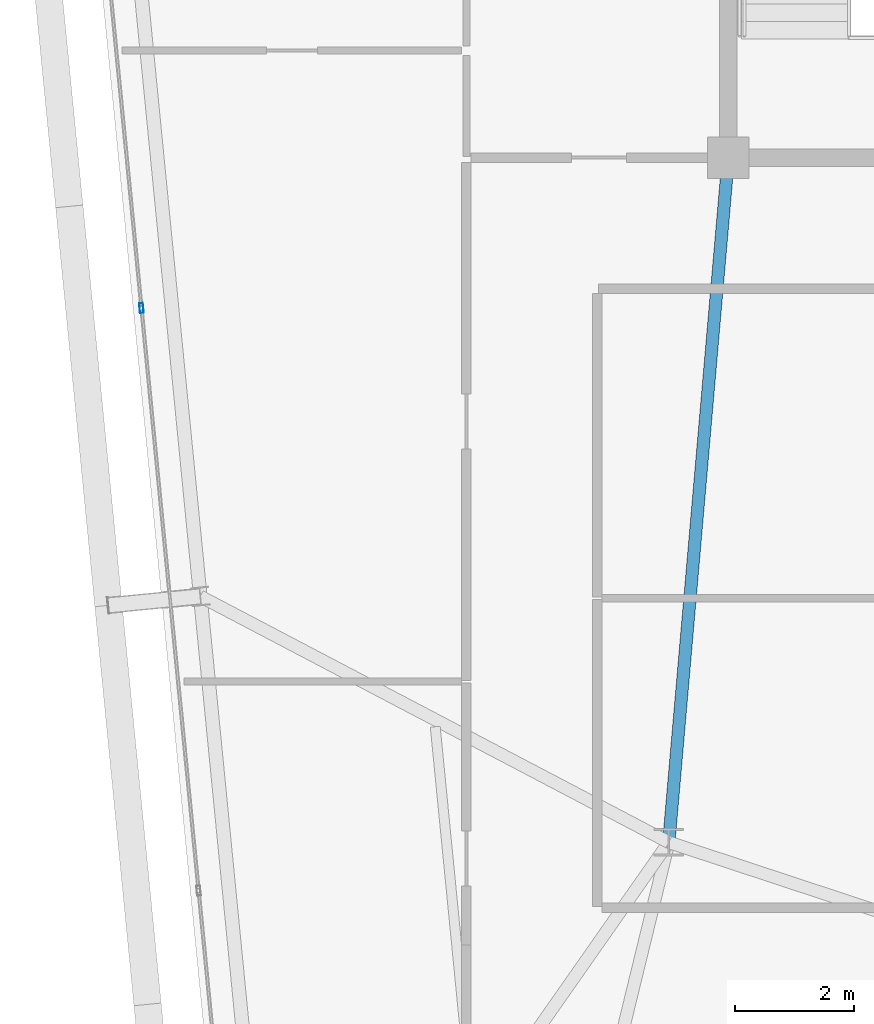
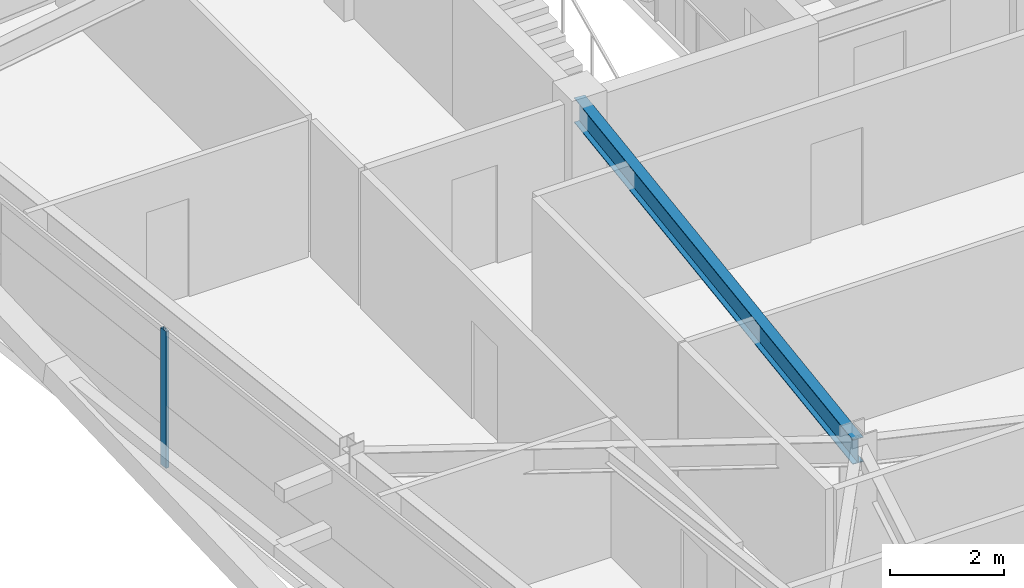
# One storey, part 13 of 47: 1 beam, 1 member, 1 element without a shape of its own.
"""IFC4 building model written with IfcOpenShell, lengths in metres."""

from ifc_helpers import new_model, si_unit, direction, frame, origin, origin_2d, place, context, subcontext, project, spatial, hollow_rectangle, i_section, extrude, source, transform, mapped, material, layer, layer_set, material_profile, profile_set, type_object, element, aggregate, save


model = new_model("IFC4")

# Units and contexts
model_context = context("Model", 3, precision=1e-05, world=origin(), true_north=direction((0.0, 1.0)))
body_context = subcontext(model_context, "Body", "Model", "MODEL_VIEW")
ifc_project = project(units=[si_unit("LENGTHUNIT", "METRE"), si_unit("AREAUNIT", "SQUARE_METRE"), si_unit("VOLUMEUNIT", "CUBIC_METRE"), si_unit("PLANEANGLEUNIT", "RADIAN"), si_unit("MASSUNIT", "GRAM", prefix="KILO")], contexts=[model_context])

# Site, building, storey
site_placement = place(None, origin())
site = spatial("IfcSite", under=ifc_project, at=site_placement, CompositionType="ELEMENT")
building_placement = place(site_placement, origin())
building = spatial("IfcBuilding", under=site, at=building_placement, Name="Taldren Reach Tower", CompositionType="ELEMENT")
storey_placement = place(building_placement, frame((0.0, 0.0, 90.300048828125)))
storey = spatial("IfcBuildingStorey", under=building, at=storey_placement, Name="L27", CompositionType="ELEMENT", Elevation=90.300048828125)

# Beam
ifc_material_1 = material(Name="Steel Gr 350 (350PLUS)", Category="steel")
ifc_material_profile_1 = material_profile(ifc_material_1, i_section(OverallWidth=0.208984375, OverallDepth=0.532958984375, WebThickness=0.01025390625, FlangeThickness=0.015625, at=origin_2d()), Name="530UB92.4")
ifc_profile_set_1 = profile_set([ifc_material_profile_1], Name="Steel Gr 350 (350PLUS)")
beam_type = type_object("IfcBeamType", Name="BM-UB530A", PredefinedType="BEAM", material=ifc_profile_set_1)
shared_shape_1 = source(origin(), body_context, "Body", "SweptSolid", [
    extrude(i_section(OverallWidth=0.208984375, OverallDepth=0.532958984375, WebThickness=0.01025390625, FlangeThickness=0.015625, at=origin_2d()), origin(), (0.0, 0.0, 1.0), 11.54345703125),
])
beam_placement = place(storey_placement, frame((19.0, 24.0, 2.663330078125), z_axis=(-0.086629616365, -0.996240588196, 0.0), x_axis=(0.996240588196, -0.086629616365, 0.0)))
element("IfcBeam", 1, at=beam_placement, inside=storey, type_object=beam_type, Name="Core-spine girder L27-SP09", PredefinedType="BEAM", context=body_context, shape_type="MappedRepresentation", body=[
    mapped(shared_shape_1, transform((0.0, 0.0, 0.0), scale=1.0)),
])

# Curtain wall, member
ifc_material_2 = material(Name="Aluminium and Low-E Glass Unitised System", Category="aluminium")
ifc_layer = layer(ifc_material_2, 0.159912109375)
ifc_layer_set = layer_set([ifc_layer], Name="Aluminium and Low-E Glass Unitised System")
curtain_wall_type = type_object("IfcCurtainWallType", Name="CW-SYS-3", PredefinedType="NOTDEFINED", material=ifc_layer_set)
curtain_wall_placement = place(storey_placement, origin())
curtain_wall = element("IfcCurtainWall", 2, at=curtain_wall_placement, inside=storey, type_object=curtain_wall_type, Name="Unitised curtain wall CW-L27-W", PredefinedType="NOTDEFINED")
ifc_material_3 = material(Name="Anodised Aluminium 6063-T6", Category="aluminium")
ifc_material_profile_2 = material_profile(ifc_material_3, hollow_rectangle(XDim=0.06494140625, YDim=0.1650390625, WallThickness=0.00390625, at=origin_2d()), Name="ALU-165x65x4RHS")
ifc_profile_set_2 = profile_set([ifc_material_profile_2], Name="Anodised Aluminium 6063-T6")
member_type = type_object("IfcMemberType", Name="CW-MUL-165", PredefinedType="MULLION", material=ifc_profile_set_2)
shared_shape_2 = source(origin(), body_context, "Body", "SweptSolid", [
    extrude(hollow_rectangle(XDim=0.06494140625, YDim=0.1650390625, WallThickness=0.00390625, at=origin_2d()), origin(), (0.0, 0.0, 1.0), 2.929931640625),
])
member_placement = place(storey_placement, frame((9.14306640625, 21.474609375, 0.0), z_axis=(0.0, 0.0, 1.0), x_axis=(0.99522741555, 0.09758274098, 0.0)))
member = element("IfcMember", 3, at=member_placement, type_object=member_type, Name="CW-3 mullion 2", PredefinedType="MULLION", context=body_context, shape_type="MappedRepresentation", body=[
    mapped(shared_shape_2, transform((0.0, 0.0, 0.0), scale=1.0)),
])
aggregate(curtain_wall, [member])

save(model, "model.ifc")
